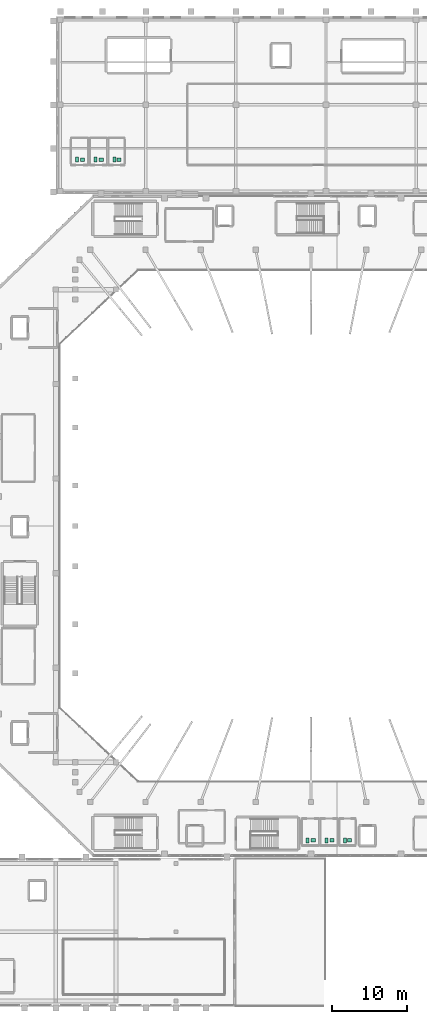
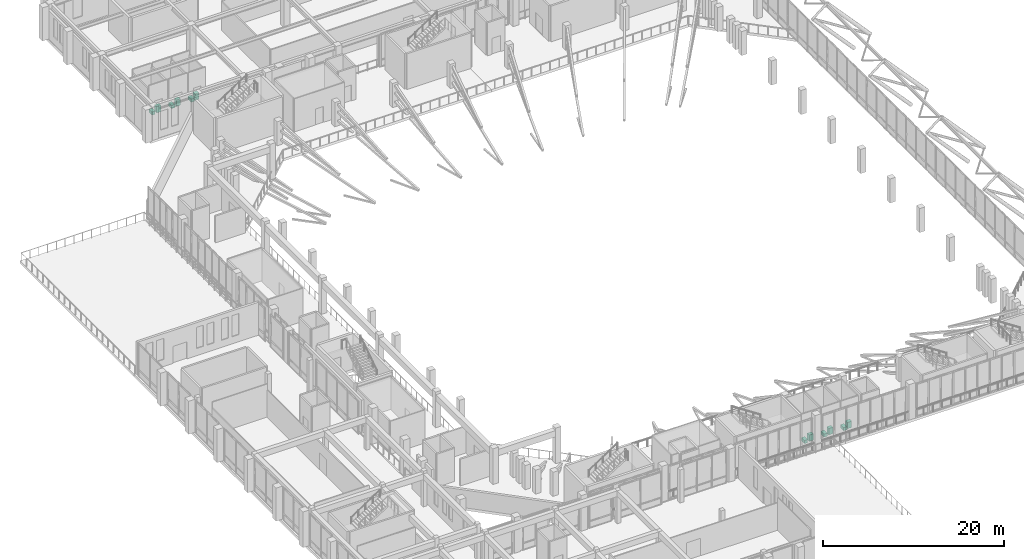
# One storey, part 79 of 79: 12 sanitary terminals.
"""IFC4 building model written with IfcOpenShell, lengths in metres."""

from ifc_helpers import new_model, si_unit, derived_unit, direction, frame, origin, origin_2d, place, context, subcontext, project, spatial, rectangle, extrude, material, type_object, element, save


model = new_model("IFC4")

# Units and contexts
model_context = context("Model", 3, precision=1e-05, world=origin(), true_north=direction((0.0, 1.0)))
body_context = subcontext(model_context, "Body", "Model", "MODEL_VIEW")
ifc_project = project(units=[si_unit("LENGTHUNIT", "METRE"), si_unit("AREAUNIT", "SQUARE_METRE"), si_unit("VOLUMEUNIT", "CUBIC_METRE"), si_unit("PLANEANGLEUNIT", "RADIAN"), si_unit("MASSUNIT", "GRAM", prefix="KILO"), derived_unit("THERMALTRANSMITTANCEUNIT", [(si_unit("MASSUNIT", "GRAM", prefix="KILO"), 1), (si_unit("TIMEUNIT", "SECOND"), -3), (si_unit("THERMODYNAMICTEMPERATUREUNIT", "KELVIN"), -1)])], contexts=[model_context])

# Site, building, storey
site_placement = place(None, origin())
site = spatial("IfcSite", under=ifc_project, at=site_placement, CompositionType="ELEMENT")
building_placement = place(site_placement, origin())
building = spatial("IfcBuilding", under=site, at=building_placement, Name="Valcora Ridge Arena", CompositionType="ELEMENT")
storey_placement = place(building_placement, frame((0.0, 0.0, 16.199951171875)))
storey = spatial("IfcBuildingStorey", under=building, at=storey_placement, Name="L03", CompositionType="ELEMENT", Elevation=16.199951171875)

# Sanitary terminals
ifc_material = material(Name="Vitreous china sanitary ceramic")
sanitary_terminal_type_1 = type_object("IfcSanitaryTerminalType", Name="TY-SANITARYTERMINAL-BASIN-PED-01", PredefinedType="WASHHANDBASIN", material=ifc_material)
for number, where, z_axis, x_axis, name in (
    (1, (58.300048828125, 22.199951171875, 0.0), (0.0, 0.0, 1.0), (1.0, 0.0, 0.0), "BASIN-PED-01 SAN-BS-0022"),
    (2, (60.800048828125, 22.199951171875, 0.0), (0.0, 0.0, 1.0), (1.0, 0.0, 0.0), "BASIN-PED-01 SAN-BS-0023"),
    (3, (63.14990234375, 22.199951171875, 0.0), (0.0, 0.0, 1.0), (1.0, 0.0, 0.0), "BASIN-PED-01 SAN-BS-0024"),
    (4, (27.550048828125, 112.89990234375, 0.0), (0.0, 0.0, 1.0), (1.0, 0.0, 0.0), "BASIN-PED-01 SAN-BS-0025"),
    (5, (30.050048828125, 112.89990234375, 0.0), (0.0, 0.0, 1.0), (1.0, 0.0, 0.0), "BASIN-PED-01 SAN-BS-0026"),
    (6, (32.39990234375, 112.89990234375, 0.0), (0.0, 0.0, 1.0), (1.0, 0.0, 0.0), "BASIN-PED-01 SAN-BS-0027"),
):
    element("IfcSanitaryTerminal", number, at=place(storey_placement, frame(where, z_axis=z_axis, x_axis=x_axis)), inside=storey, type_object=sanitary_terminal_type_1, Name=name, PredefinedType="WASHHANDBASIN", context=body_context, shape_type="SweptSolid", body=[
        extrude(rectangle(XDim=0.550048828125, YDim=0.449951171875, at=origin_2d()), origin(), (0.0, 0.0, 1.0), 0.85009765625),
    ])
sanitary_terminal_type_2 = type_object("IfcSanitaryTerminalType", Name="TY-SANITARYTERMINAL-WC-PAN-01", PredefinedType="TOILETPAN", material=ifc_material)
for number, where, z_axis, x_axis, name in (
    (7, (57.550048828125, 22.199951171875, 0.0), (0.0, 0.0, 1.0), (1.0, 0.0, 0.0), "WC-PAN-01 SAN-WC-0022"),
    (8, (60.050048828125, 22.199951171875, 0.0), (0.0, 0.0, 1.0), (1.0, 0.0, 0.0), "WC-PAN-01 SAN-WC-0023"),
    (9, (62.550048828125, 22.199951171875, 0.0), (0.0, 0.0, 1.0), (1.0, 0.0, 0.0), "WC-PAN-01 SAN-WC-0024"),
    (10, (26.800048828125, 112.89990234375, 0.0), (0.0, 0.0, 1.0), (1.0, 0.0, 0.0), "WC-PAN-01 SAN-WC-0025"),
    (11, (29.300048828125, 112.89990234375, 0.0), (0.0, 0.0, 1.0), (1.0, 0.0, 0.0), "WC-PAN-01 SAN-WC-0026"),
    (12, (31.800048828125, 112.89990234375, 0.0), (0.0, 0.0, 1.0), (1.0, 0.0, 0.0), "WC-PAN-01 SAN-WC-0027"),
):
    element("IfcSanitaryTerminal", number, at=place(storey_placement, frame(where, z_axis=z_axis, x_axis=x_axis)), inside=storey, type_object=sanitary_terminal_type_2, Name=name, PredefinedType="TOILETPAN", context=body_context, shape_type="SweptSolid", body=[
        extrude(rectangle(XDim=0.419921875, YDim=0.679931640625, at=origin_2d()), origin(), (0.0, 0.0, 1.0), 0.419921875),
    ])

save(model, "model.ifc")
